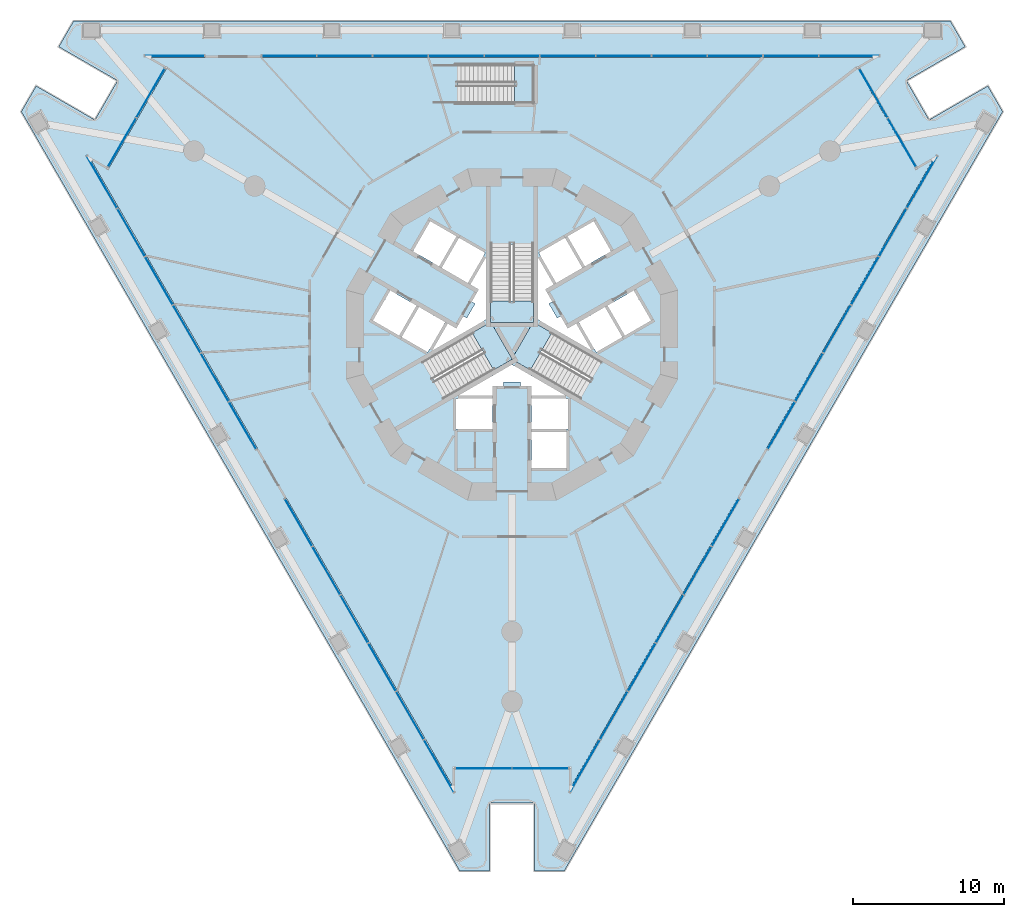
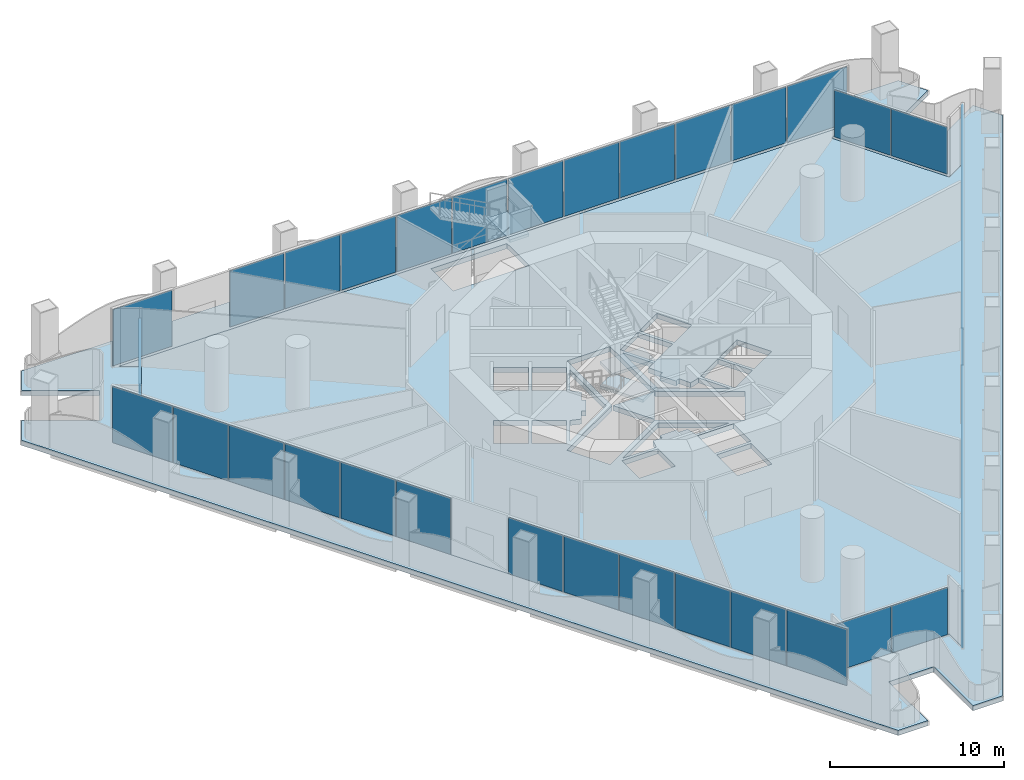
# One storey, part 10 of 23: 42 plates, 7 slabs, 13 elements without a shape of their own.
"""IFC4 building model written with IfcOpenShell, lengths in metres."""

from ifc_helpers import new_model, si_unit, direction, frame, origin, origin_2d, place, context, subcontext, project, spatial, polyline, rectangle, outline, extrude, material, layer, layer_set, type_object, element, aggregate, save


model = new_model("IFC4")

# Units and contexts
model_context = context("Model", 3, precision=1e-05, world=origin(), true_north=direction((0.0, 1.0)))
body_context = subcontext(model_context, "Body", "Model", "MODEL_VIEW")
ifc_project = project(units=[si_unit("LENGTHUNIT", "METRE"), si_unit("AREAUNIT", "SQUARE_METRE"), si_unit("VOLUMEUNIT", "CUBIC_METRE"), si_unit("PLANEANGLEUNIT", "RADIAN"), si_unit("MASSUNIT", "GRAM", prefix="KILO")], contexts=[model_context])

# Site, building, storey
site_placement = place(None, origin())
site = spatial("IfcSite", under=ifc_project, at=site_placement, CompositionType="ELEMENT")
building_placement = place(site_placement, origin())
building = spatial("IfcBuilding", under=site, at=building_placement, Name="Trine Commons Tower", CompositionType="ELEMENT")
storey_placement = place(building_placement, frame((0.0, 0.0, 18.0)))
storey = spatial("IfcBuildingStorey", under=building, at=storey_placement, Name="L03", CompositionType="ELEMENT", Elevation=18.0)

# Curtain wall, plates
ifc_material_1 = material(Name="Corner pocket glazing: anodised aluminium frame with low-emissivity double glazed unit, laminated", Category="aluminium")
ifc_layer_1 = layer(ifc_material_1, 0.179931640625)
ifc_layer_set_1 = layer_set([ifc_layer_1], Name="Corner pocket glazing: anodised aluminium frame with low-emissivity double glazed unit, laminated")
curtain_wall_type_1 = type_object("IfcCurtainWallType", Name="Corner pocket glazing curtain wall CW8", PredefinedType="NOTDEFINED", material=ifc_layer_set_1)
curtain_wall_1_placement = place(storey_placement, origin())
curtain_wall_1 = element("IfcCurtainWall", 1, at=curtain_wall_1_placement, inside=storey, type_object=curtain_wall_type_1, Name="Corner pocket glazing L03 P1.1", PredefinedType="NOTDEFINED")
ifc_material_2 = material(Name="Low-emissivity double glazed unit, laminated")
ifc_layer_2 = layer(ifc_material_2, 0.030029296875)
ifc_layer_set_2 = layer_set([ifc_layer_2], Name="Low-emissivity double glazed unit, laminated")
plate_type_1 = type_object("IfcPlateType", Name="Double glazed unit 30 mm (corner pockets)", PredefinedType="CURTAIN_PANEL", material=ifc_layer_set_2)
plate_1_placement = place(storey_placement, frame((54.15185546875, 75.248291015625, 0.08984375), z_axis=(0.0, 0.0, 1.0), x_axis=(0.5, 0.866025403784, 0.0)))
plate_1 = element("IfcPlate", 2, at=plate_1_placement, type_object=plate_type_1, Name="CW8 panel 1.1", PredefinedType="CURTAIN_PANEL", context=body_context, shape_type="SweptSolid", body=[
    extrude(rectangle(XDim=3.702392578125, YDim=0.030029296875, at=origin_2d()), origin(), (0.0, 0.0, 1.0), 3.300048828125),
])
plate_2_placement = place(storey_placement, frame((56.03564453125, 78.510986328125, 0.08984375), z_axis=(0.0, 0.0, 1.0), x_axis=(0.5, 0.866025403784, 0.0)))
plate_2 = element("IfcPlate", 3, at=plate_2_placement, type_object=plate_type_1, Name="CW8 panel 2.1", PredefinedType="CURTAIN_PANEL", context=body_context, shape_type="SweptSolid", body=[
    extrude(rectangle(XDim=3.702392578125, YDim=0.030029296875, at=origin_2d()), origin(), (0.0, 0.0, 1.0), 3.300048828125),
])
aggregate(curtain_wall_1, [plate_1, plate_2])

curtain_wall_2_placement = place(storey_placement, origin())
curtain_wall_2 = element("IfcCurtainWall", 4, at=curtain_wall_2_placement, inside=storey, type_object=curtain_wall_type_1, Name="Corner pocket glazing L03 P2.1", PredefinedType="NOTDEFINED")
plate_3_placement = place(storey_placement, frame((103.96435546875, 78.510986328125, 0.08984375), z_axis=(0.0, 0.0, 1.0), x_axis=(0.5, -0.866025403784, 0.0)))
plate_3 = element("IfcPlate", 5, at=plate_3_placement, type_object=plate_type_1, Name="CW8 panel 1.1", PredefinedType="CURTAIN_PANEL", context=body_context, shape_type="SweptSolid", body=[
    extrude(rectangle(XDim=3.702392578125, YDim=0.030029296875, at=origin_2d()), origin(), (0.0, 0.0, 1.0), 3.300048828125),
])
plate_4_placement = place(storey_placement, frame((105.84814453125, 75.248291015625, 0.08984375), z_axis=(0.0, 0.0, 1.0), x_axis=(0.5, -0.866025403784, 0.0)))
plate_4 = element("IfcPlate", 6, at=plate_4_placement, type_object=plate_type_1, Name="CW8 panel 2.1", PredefinedType="CURTAIN_PANEL", context=body_context, shape_type="SweptSolid", body=[
    extrude(rectangle(XDim=3.702392578125, YDim=0.030029296875, at=origin_2d()), origin(), (0.0, 0.0, 1.0), 3.300048828125),
])
aggregate(curtain_wall_2, [plate_3, plate_4])

curtain_wall_3_placement = place(storey_placement, origin())
curtain_wall_3 = element("IfcCurtainWall", 7, at=curtain_wall_3_placement, inside=storey, type_object=curtain_wall_type_1, Name="Corner pocket glazing L03 P3.1", PredefinedType="NOTDEFINED")
plate_5_placement = place(storey_placement, frame((81.8837890625, 33.74072265625, 0.08984375), z_axis=(0.0, 0.0, 1.0), x_axis=(-1.0, 0.0, 0.0)))
plate_5 = element("IfcPlate", 8, at=plate_5_placement, type_object=plate_type_1, Name="CW8 panel 1.1", PredefinedType="CURTAIN_PANEL", context=body_context, shape_type="SweptSolid", body=[
    extrude(rectangle(XDim=3.702392578125, YDim=0.030029296875, at=origin_2d()), origin(), (0.0, 0.0, 1.0), 3.300048828125),
])
plate_6_placement = place(storey_placement, frame((78.1162109375, 33.74072265625, 0.08984375), z_axis=(0.0, 0.0, 1.0), x_axis=(-1.0, 0.0, 0.0)))
plate_6 = element("IfcPlate", 9, at=plate_6_placement, type_object=plate_type_1, Name="CW8 panel 2.1", PredefinedType="CURTAIN_PANEL", context=body_context, shape_type="SweptSolid", body=[
    extrude(rectangle(XDim=3.702392578125, YDim=0.030029296875, at=origin_2d()), origin(), (0.0, 0.0, 1.0), 3.300048828125),
])
aggregate(curtain_wall_3, [plate_5, plate_6])

# Curtain wall, plate
ifc_material_3 = material(Name="Podium glazing: anodised aluminium frame with low-emissivity double glazed unit", Category="aluminium")
ifc_layer_3 = layer(ifc_material_3, 0.199951171875)
ifc_layer_set_3 = layer_set([ifc_layer_3], Name="Podium glazing: anodised aluminium frame with low-emissivity double glazed unit")
curtain_wall_type_2 = type_object("IfcCurtainWallType", Name="Podium glazing curtain wall CW3", PredefinedType="NOTDEFINED", material=ifc_layer_set_3)
curtain_wall_4_placement = place(storey_placement, origin())
curtain_wall_4 = element("IfcCurtainWall", 10, at=curtain_wall_4_placement, inside=storey, type_object=curtain_wall_type_2, Name="Podium glazing L03 F1.1", PredefinedType="NOTDEFINED")
ifc_material_4 = material(Name="Low-emissivity double glazed unit")
ifc_layer_4 = layer(ifc_material_4, 0.031982421875)
ifc_layer_set_4 = layer_set([ifc_layer_4], Name="Low-emissivity double glazed unit")
plate_type_2 = type_object("IfcPlateType", Name="Double glazed unit 32 mm", PredefinedType="CURTAIN_PANEL", material=ifc_layer_set_4)
plate_7_placement = place(storey_placement, frame((57.619873046875, 80.984619140625, 0.10009765625), z_axis=(0.0, 0.0, 1.0), x_axis=(1.0, 0.0, 0.0)))
plate_7 = element("IfcPlate", 11, at=plate_7_placement, type_object=plate_type_2, Name="CW3 panel 1.1", PredefinedType="CURTAIN_PANEL", context=body_context, shape_type="SweptSolid", body=[
    extrude(rectangle(XDim=3.922119140625, YDim=0.031982421875, at=origin_2d()), origin(), (0.0, 0.0, 1.0), 3.949951171875),
])
aggregate(curtain_wall_4, [plate_7])

# Curtain wall, plates
curtain_wall_5_placement = place(storey_placement, origin())
curtain_wall_5 = element("IfcCurtainWall", 12, at=curtain_wall_5_placement, inside=storey, type_object=curtain_wall_type_2, Name="Podium glazing L03 F1.2", PredefinedType="NOTDEFINED")
plate_8_placement = place(storey_placement, frame((65.222900390625, 80.984619140625, 0.10009765625), z_axis=(0.0, 0.0, 1.0), x_axis=(1.0, 0.0, 0.0)))
plate_8 = element("IfcPlate", 13, at=plate_8_placement, type_object=plate_type_2, Name="CW3 panel 1.1", PredefinedType="CURTAIN_PANEL", context=body_context, shape_type="SweptSolid", body=[
    extrude(rectangle(XDim=3.58642578125, YDim=0.031982421875, at=origin_2d()), origin(), (0.0, 0.0, 1.0), 3.949951171875),
])
plate_9_placement = place(storey_placement, frame((68.903076171875, 80.984619140625, 0.10009765625), z_axis=(0.0, 0.0, 1.0), x_axis=(1.0, 0.0, 0.0)))
plate_9 = element("IfcPlate", 14, at=plate_9_placement, type_object=plate_type_2, Name="CW3 panel 2.1", PredefinedType="CURTAIN_PANEL", context=body_context, shape_type="SweptSolid", body=[
    extrude(rectangle(XDim=3.623779296875, YDim=0.031982421875, at=origin_2d()), origin(), (0.0, 0.0, 1.0), 3.949951171875),
])
plate_10_placement = place(storey_placement, frame((72.60205078125, 80.984619140625, 0.10009765625), z_axis=(0.0, 0.0, 1.0), x_axis=(1.0, 0.0, 0.0)))
plate_10 = element("IfcPlate", 15, at=plate_10_placement, type_object=plate_type_2, Name="CW3 panel 3.1", PredefinedType="CURTAIN_PANEL", context=body_context, shape_type="SweptSolid", body=[
    extrude(rectangle(XDim=3.623779296875, YDim=0.031982421875, at=origin_2d()), origin(), (0.0, 0.0, 1.0), 3.949951171875),
])
plate_11_placement = place(storey_placement, frame((76.30078125, 80.984619140625, 0.10009765625), z_axis=(0.0, 0.0, 1.0), x_axis=(1.0, 0.0, 0.0)))
plate_11 = element("IfcPlate", 16, at=plate_11_placement, type_object=plate_type_2, Name="CW3 panel 4.1", PredefinedType="CURTAIN_PANEL", context=body_context, shape_type="SweptSolid", body=[
    extrude(rectangle(XDim=3.623779296875, YDim=0.031982421875, at=origin_2d()), origin(), (0.0, 0.0, 1.0), 3.949951171875),
])
plate_12_placement = place(storey_placement, frame((79.999755859375, 80.984619140625, 0.10009765625), z_axis=(0.0, 0.0, 1.0), x_axis=(1.0, 0.0, 0.0)))
plate_12 = element("IfcPlate", 17, at=plate_12_placement, type_object=plate_type_2, Name="CW3 panel 5.1", PredefinedType="CURTAIN_PANEL", context=body_context, shape_type="SweptSolid", body=[
    extrude(rectangle(XDim=3.623779296875, YDim=0.031982421875, at=origin_2d()), origin(), (0.0, 0.0, 1.0), 3.949951171875),
])
plate_13_placement = place(storey_placement, frame((83.69873046875, 80.984619140625, 0.10009765625), z_axis=(0.0, 0.0, 1.0), x_axis=(1.0, 0.0, 0.0)))
plate_13 = element("IfcPlate", 18, at=plate_13_placement, type_object=plate_type_2, Name="CW3 panel 6.1", PredefinedType="CURTAIN_PANEL", context=body_context, shape_type="SweptSolid", body=[
    extrude(rectangle(XDim=3.623779296875, YDim=0.031982421875, at=origin_2d()), origin(), (0.0, 0.0, 1.0), 3.949951171875),
])
plate_14_placement = place(storey_placement, frame((87.397705078125, 80.984619140625, 0.10009765625), z_axis=(0.0, 0.0, 1.0), x_axis=(1.0, 0.0, 0.0)))
plate_14 = element("IfcPlate", 19, at=plate_14_placement, type_object=plate_type_2, Name="CW3 panel 7.1", PredefinedType="CURTAIN_PANEL", context=body_context, shape_type="SweptSolid", body=[
    extrude(rectangle(XDim=3.623779296875, YDim=0.031982421875, at=origin_2d()), origin(), (0.0, 0.0, 1.0), 3.949951171875),
])
plate_15_placement = place(storey_placement, frame((91.096435546875, 80.984619140625, 0.10009765625), z_axis=(0.0, 0.0, 1.0), x_axis=(1.0, 0.0, 0.0)))
plate_15 = element("IfcPlate", 20, at=plate_15_placement, type_object=plate_type_2, Name="CW3 panel 8.1", PredefinedType="CURTAIN_PANEL", context=body_context, shape_type="SweptSolid", body=[
    extrude(rectangle(XDim=3.623779296875, YDim=0.031982421875, at=origin_2d()), origin(), (0.0, 0.0, 1.0), 3.949951171875),
])
plate_16_placement = place(storey_placement, frame((94.79541015625, 80.984619140625, 0.10009765625), z_axis=(0.0, 0.0, 1.0), x_axis=(1.0, 0.0, 0.0)))
plate_16 = element("IfcPlate", 21, at=plate_16_placement, type_object=plate_type_2, Name="CW3 panel 9.1", PredefinedType="CURTAIN_PANEL", context=body_context, shape_type="SweptSolid", body=[
    extrude(rectangle(XDim=3.623779296875, YDim=0.031982421875, at=origin_2d()), origin(), (0.0, 0.0, 1.0), 3.949951171875),
])
plate_17_placement = place(storey_placement, frame((98.494384765625, 80.984619140625, 0.10009765625), z_axis=(0.0, 0.0, 1.0), x_axis=(1.0, 0.0, 0.0)))
plate_17 = element("IfcPlate", 22, at=plate_17_placement, type_object=plate_type_2, Name="CW3 panel 10.1", PredefinedType="CURTAIN_PANEL", context=body_context, shape_type="SweptSolid", body=[
    extrude(rectangle(XDim=3.623779296875, YDim=0.031982421875, at=origin_2d()), origin(), (0.0, 0.0, 1.0), 3.949951171875),
])
plate_18_placement = place(storey_placement, frame((102.361328125, 80.984619140625, 0.10009765625), z_axis=(0.0, 0.0, 1.0), x_axis=(1.0, 0.0, 0.0)))
plate_18 = element("IfcPlate", 23, at=plate_18_placement, type_object=plate_type_2, Name="CW3 panel 11.1", PredefinedType="CURTAIN_PANEL", context=body_context, shape_type="SweptSolid", body=[
    extrude(rectangle(XDim=3.960205078125, YDim=0.031982421875, at=origin_2d()), origin(), (0.0, 0.0, 1.0), 3.949951171875),
])
aggregate(curtain_wall_5, [plate_8, plate_9, plate_10, plate_11, plate_12, plate_13, plate_14, plate_15, plate_16, plate_17, plate_18])

curtain_wall_6_placement = place(storey_placement, origin())
curtain_wall_6 = element("IfcCurtainWall", 24, at=curtain_wall_6_placement, inside=storey, type_object=curtain_wall_type_2, Name="Podium glazing L03 F2.1", PredefinedType="NOTDEFINED")
plate_19_placement = place(storey_placement, frame((107.18896484375, 72.623291015625, 0.10009765625), z_axis=(0.0, 0.0, 1.0), x_axis=(-0.5, -0.866025403784, 0.0)))
plate_19 = element("IfcPlate", 25, at=plate_19_placement, type_object=plate_type_2, Name="CW3 panel 1.1", PredefinedType="CURTAIN_PANEL", context=body_context, shape_type="SweptSolid", body=[
    extrude(rectangle(XDim=3.959716796875, YDim=0.031982421875, at=origin_2d()), origin(), (0.0, 0.0, 1.0), 3.949951171875),
])
plate_20_placement = place(storey_placement, frame((105.255615234375, 69.274658203125, 0.10009765625), z_axis=(0.0, 0.0, 1.0), x_axis=(-0.5, -0.866025403784, 0.0)))
plate_20 = element("IfcPlate", 26, at=plate_20_placement, type_object=plate_type_2, Name="CW3 panel 2.1", PredefinedType="CURTAIN_PANEL", context=body_context, shape_type="SweptSolid", body=[
    extrude(rectangle(XDim=3.623779296875, YDim=0.031982421875, at=origin_2d()), origin(), (0.0, 0.0, 1.0), 3.949951171875),
])
plate_21_placement = place(storey_placement, frame((103.406005859375, 66.0712890625, 0.10009765625), z_axis=(0.0, 0.0, 1.0), x_axis=(-0.5, -0.866025403784, 0.0)))
plate_21 = element("IfcPlate", 27, at=plate_21_placement, type_object=plate_type_2, Name="CW3 panel 3.1", PredefinedType="CURTAIN_PANEL", context=body_context, shape_type="SweptSolid", body=[
    extrude(rectangle(XDim=3.623779296875, YDim=0.031982421875, at=origin_2d()), origin(), (0.0, 0.0, 1.0), 3.949951171875),
])
plate_22_placement = place(storey_placement, frame((101.556640625, 62.867919921875, 0.10009765625), z_axis=(0.0, 0.0, 1.0), x_axis=(-0.5, -0.866025403784, 0.0)))
plate_22 = element("IfcPlate", 28, at=plate_22_placement, type_object=plate_type_2, Name="CW3 panel 4.1", PredefinedType="CURTAIN_PANEL", context=body_context, shape_type="SweptSolid", body=[
    extrude(rectangle(XDim=3.623779296875, YDim=0.031982421875, at=origin_2d()), origin(), (0.0, 0.0, 1.0), 3.949951171875),
])
plate_23_placement = place(storey_placement, frame((99.707275390625, 59.66455078125, 0.10009765625), z_axis=(0.0, 0.0, 1.0), x_axis=(-0.5, -0.866025403784, 0.0)))
plate_23 = element("IfcPlate", 29, at=plate_23_placement, type_object=plate_type_2, Name="CW3 panel 5.1", PredefinedType="CURTAIN_PANEL", context=body_context, shape_type="SweptSolid", body=[
    extrude(rectangle(XDim=3.623779296875, YDim=0.031982421875, at=origin_2d()), origin(), (0.0, 0.0, 1.0), 3.949951171875),
])
plate_24_placement = place(storey_placement, frame((97.8671875, 56.4775390625, 0.10009765625), z_axis=(0.0, 0.0, 1.0), x_axis=(-0.5, -0.866025403784, 0.0)))
plate_24 = element("IfcPlate", 30, at=plate_24_placement, type_object=plate_type_2, Name="CW3 panel 6.1", PredefinedType="CURTAIN_PANEL", context=body_context, shape_type="SweptSolid", body=[
    extrude(rectangle(XDim=3.58642578125, YDim=0.031982421875, at=origin_2d()), origin(), (0.0, 0.0, 1.0), 3.949951171875),
])
aggregate(curtain_wall_6, [plate_19, plate_20, plate_21, plate_22, plate_23, plate_24])

curtain_wall_7_placement = place(storey_placement, origin())
curtain_wall_7 = element("IfcCurtainWall", 31, at=curtain_wall_7_placement, inside=storey, type_object=curtain_wall_type_2, Name="Podium glazing L03 F2.2", PredefinedType="NOTDEFINED")
plate_25_placement = place(storey_placement, frame((94.1494140625, 50.038330078125, 0.10009765625), z_axis=(0.0, 0.0, 1.0), x_axis=(-0.5, -0.866025403784, 0.0)))
plate_25 = element("IfcPlate", 32, at=plate_25_placement, type_object=plate_type_2, Name="CW3 panel 1.1", PredefinedType="CURTAIN_PANEL", context=body_context, shape_type="SweptSolid", body=[
    extrude(rectangle(XDim=3.58642578125, YDim=0.031982421875, at=origin_2d()), origin(), (0.0, 0.0, 1.0), 3.949951171875),
])
plate_26_placement = place(storey_placement, frame((92.309326171875, 46.851318359375, 0.10009765625), z_axis=(0.0, 0.0, 1.0), x_axis=(-0.5, -0.866025403784, 0.0)))
plate_26 = element("IfcPlate", 33, at=plate_26_placement, type_object=plate_type_2, Name="CW3 panel 2.1", PredefinedType="CURTAIN_PANEL", context=body_context, shape_type="SweptSolid", body=[
    extrude(rectangle(XDim=3.623779296875, YDim=0.031982421875, at=origin_2d()), origin(), (0.0, 0.0, 1.0), 3.949951171875),
])
plate_27_placement = place(storey_placement, frame((90.4599609375, 43.64794921875, 0.10009765625), z_axis=(0.0, 0.0, 1.0), x_axis=(-0.5, -0.866025403784, 0.0)))
plate_27 = element("IfcPlate", 34, at=plate_27_placement, type_object=plate_type_2, Name="CW3 panel 3.1", PredefinedType="CURTAIN_PANEL", context=body_context, shape_type="SweptSolid", body=[
    extrude(rectangle(XDim=3.623779296875, YDim=0.031982421875, at=origin_2d()), origin(), (0.0, 0.0, 1.0), 3.949951171875),
])
plate_28_placement = place(storey_placement, frame((88.610595703125, 40.444580078125, 0.10009765625), z_axis=(0.0, 0.0, 1.0), x_axis=(-0.5, -0.866025403784, 0.0)))
plate_28 = element("IfcPlate", 35, at=plate_28_placement, type_object=plate_type_2, Name="CW3 panel 4.1", PredefinedType="CURTAIN_PANEL", context=body_context, shape_type="SweptSolid", body=[
    extrude(rectangle(XDim=3.623779296875, YDim=0.031982421875, at=origin_2d()), origin(), (0.0, 0.0, 1.0), 3.949951171875),
])
plate_29_placement = place(storey_placement, frame((86.760986328125, 37.2412109375, 0.10009765625), z_axis=(0.0, 0.0, 1.0), x_axis=(-0.5, -0.866025403784, 0.0)))
plate_29 = element("IfcPlate", 36, at=plate_29_placement, type_object=plate_type_2, Name="CW3 panel 5.1", PredefinedType="CURTAIN_PANEL", context=body_context, shape_type="SweptSolid", body=[
    extrude(rectangle(XDim=3.623779296875, YDim=0.031982421875, at=origin_2d()), origin(), (0.0, 0.0, 1.0), 3.949951171875),
])
plate_30_placement = place(storey_placement, frame((84.827392578125, 33.892333984375, 0.10009765625), z_axis=(0.0, 0.0, 1.0), x_axis=(-0.5, -0.866025403784, 0.0)))
plate_30 = element("IfcPlate", 37, at=plate_30_placement, type_object=plate_type_2, Name="CW3 panel 6.1", PredefinedType="CURTAIN_PANEL", context=body_context, shape_type="SweptSolid", body=[
    extrude(rectangle(XDim=3.960205078125, YDim=0.031982421875, at=origin_2d()), origin(), (0.0, 0.0, 1.0), 3.949951171875),
])
aggregate(curtain_wall_7, [plate_25, plate_26, plate_27, plate_28, plate_29, plate_30])

curtain_wall_8_placement = place(storey_placement, origin())
curtain_wall_8 = element("IfcCurtainWall", 38, at=curtain_wall_8_placement, inside=storey, type_object=curtain_wall_type_2, Name="Podium glazing L03 F3.1", PredefinedType="NOTDEFINED")
plate_31_placement = place(storey_placement, frame((75.172607421875, 33.89208984375, 0.10009765625), z_axis=(0.0, 0.0, 1.0), x_axis=(-0.5, 0.866025403784, 0.0)))
plate_31 = element("IfcPlate", 39, at=plate_31_placement, type_object=plate_type_2, Name="CW3 panel 1.1", PredefinedType="CURTAIN_PANEL", context=body_context, shape_type="SweptSolid", body=[
    extrude(rectangle(XDim=3.959716796875, YDim=0.031982421875, at=origin_2d()), origin(), (0.0, 0.0, 1.0), 3.949951171875),
])
plate_32_placement = place(storey_placement, frame((73.2392578125, 37.24072265625, 0.10009765625), z_axis=(0.0, 0.0, 1.0), x_axis=(-0.5, 0.866025403784, 0.0)))
plate_32 = element("IfcPlate", 40, at=plate_32_placement, type_object=plate_type_2, Name="CW3 panel 2.1", PredefinedType="CURTAIN_PANEL", context=body_context, shape_type="SweptSolid", body=[
    extrude(rectangle(XDim=3.623779296875, YDim=0.031982421875, at=origin_2d()), origin(), (0.0, 0.0, 1.0), 3.949951171875),
])
plate_33_placement = place(storey_placement, frame((71.389892578125, 40.444091796875, 0.10009765625), z_axis=(0.0, 0.0, 1.0), x_axis=(-0.5, 0.866025403784, 0.0)))
plate_33 = element("IfcPlate", 41, at=plate_33_placement, type_object=plate_type_2, Name="CW3 panel 3.1", PredefinedType="CURTAIN_PANEL", context=body_context, shape_type="SweptSolid", body=[
    extrude(rectangle(XDim=3.623779296875, YDim=0.031982421875, at=origin_2d()), origin(), (0.0, 0.0, 1.0), 3.949951171875),
])
plate_34_placement = place(storey_placement, frame((69.540283203125, 43.6474609375, 0.10009765625), z_axis=(0.0, 0.0, 1.0), x_axis=(-0.5, 0.866025403784, 0.0)))
plate_34 = element("IfcPlate", 42, at=plate_34_placement, type_object=plate_type_2, Name="CW3 panel 4.1", PredefinedType="CURTAIN_PANEL", context=body_context, shape_type="SweptSolid", body=[
    extrude(rectangle(XDim=3.623779296875, YDim=0.031982421875, at=origin_2d()), origin(), (0.0, 0.0, 1.0), 3.949951171875),
])
plate_35_placement = place(storey_placement, frame((67.69091796875, 46.850830078125, 0.10009765625), z_axis=(0.0, 0.0, 1.0), x_axis=(-0.5, 0.866025403784, 0.0)))
plate_35 = element("IfcPlate", 43, at=plate_35_placement, type_object=plate_type_2, Name="CW3 panel 5.1", PredefinedType="CURTAIN_PANEL", context=body_context, shape_type="SweptSolid", body=[
    extrude(rectangle(XDim=3.623779296875, YDim=0.031982421875, at=origin_2d()), origin(), (0.0, 0.0, 1.0), 3.949951171875),
])
plate_36_placement = place(storey_placement, frame((65.850830078125, 50.037841796875, 0.10009765625), z_axis=(0.0, 0.0, 1.0), x_axis=(-0.5, 0.866025403784, 0.0)))
plate_36 = element("IfcPlate", 44, at=plate_36_placement, type_object=plate_type_2, Name="CW3 panel 6.1", PredefinedType="CURTAIN_PANEL", context=body_context, shape_type="SweptSolid", body=[
    extrude(rectangle(XDim=3.58642578125, YDim=0.031982421875, at=origin_2d()), origin(), (0.0, 0.0, 1.0), 3.949951171875),
])
aggregate(curtain_wall_8, [plate_31, plate_32, plate_33, plate_34, plate_35, plate_36])

curtain_wall_9_placement = place(storey_placement, origin())
curtain_wall_9 = element("IfcCurtainWall", 45, at=curtain_wall_9_placement, inside=storey, type_object=curtain_wall_type_2, Name="Podium glazing L03 F3.2", PredefinedType="NOTDEFINED")
plate_37_placement = place(storey_placement, frame((62.133056640625, 56.47705078125, 0.10009765625), z_axis=(0.0, 0.0, 1.0), x_axis=(-0.5, 0.866025403784, 0.0)))
plate_37 = element("IfcPlate", 46, at=plate_37_placement, type_object=plate_type_2, Name="CW3 panel 1.1", PredefinedType="CURTAIN_PANEL", context=body_context, shape_type="SweptSolid", body=[
    extrude(rectangle(XDim=3.58642578125, YDim=0.031982421875, at=origin_2d()), origin(), (0.0, 0.0, 1.0), 3.949951171875),
])
plate_38_placement = place(storey_placement, frame((60.293212890625, 59.664306640625, 0.10009765625), z_axis=(0.0, 0.0, 1.0), x_axis=(-0.5, 0.866025403784, 0.0)))
plate_38 = element("IfcPlate", 47, at=plate_38_placement, type_object=plate_type_2, Name="CW3 panel 2.1", PredefinedType="CURTAIN_PANEL", context=body_context, shape_type="SweptSolid", body=[
    extrude(rectangle(XDim=3.623779296875, YDim=0.031982421875, at=origin_2d()), origin(), (0.0, 0.0, 1.0), 3.949951171875),
])
plate_39_placement = place(storey_placement, frame((58.443603515625, 62.867431640625, 0.10009765625), z_axis=(0.0, 0.0, 1.0), x_axis=(-0.5, 0.866025403784, 0.0)))
plate_39 = element("IfcPlate", 48, at=plate_39_placement, type_object=plate_type_2, Name="CW3 panel 3.1", PredefinedType="CURTAIN_PANEL", context=body_context, shape_type="SweptSolid", body=[
    extrude(rectangle(XDim=3.623779296875, YDim=0.031982421875, at=origin_2d()), origin(), (0.0, 0.0, 1.0), 3.949951171875),
])
plate_40_placement = place(storey_placement, frame((56.59423828125, 66.07080078125, 0.10009765625), z_axis=(0.0, 0.0, 1.0), x_axis=(-0.5, 0.866025403784, 0.0)))
plate_40 = element("IfcPlate", 49, at=plate_40_placement, type_object=plate_type_2, Name="CW3 panel 4.1", PredefinedType="CURTAIN_PANEL", context=body_context, shape_type="SweptSolid", body=[
    extrude(rectangle(XDim=3.623779296875, YDim=0.031982421875, at=origin_2d()), origin(), (0.0, 0.0, 1.0), 3.949951171875),
])
plate_41_placement = place(storey_placement, frame((54.74462890625, 69.274169921875, 0.10009765625), z_axis=(0.0, 0.0, 1.0), x_axis=(-0.5, 0.866025403784, 0.0)))
plate_41 = element("IfcPlate", 50, at=plate_41_placement, type_object=plate_type_2, Name="CW3 panel 5.1", PredefinedType="CURTAIN_PANEL", context=body_context, shape_type="SweptSolid", body=[
    extrude(rectangle(XDim=3.623779296875, YDim=0.031982421875, at=origin_2d()), origin(), (0.0, 0.0, 1.0), 3.949951171875),
])
plate_42_placement = place(storey_placement, frame((52.811279296875, 72.623046875, 0.10009765625), z_axis=(0.0, 0.0, 1.0), x_axis=(-0.5, 0.866025403784, 0.0)))
plate_42 = element("IfcPlate", 51, at=plate_42_placement, type_object=plate_type_2, Name="CW3 panel 6.1", PredefinedType="CURTAIN_PANEL", context=body_context, shape_type="SweptSolid", body=[
    extrude(rectangle(XDim=3.960205078125, YDim=0.031982421875, at=origin_2d()), origin(), (0.0, 0.0, 1.0), 3.949951171875),
])
aggregate(curtain_wall_9, [plate_37, plate_38, plate_39, plate_40, plate_41, plate_42])

# Slabs
ifc_material_5 = material(Name="Concrete C50/60", Category="concrete")
ifc_layer_5 = layer(ifc_material_5, 0.35009765625)
ifc_layer_set_5 = layer_set([ifc_layer_5], Name="Concrete C50/60")
slab_type_1 = type_object("IfcSlabType", Name="Loggia slab 350 mm, C50/60", PredefinedType="FLOOR", material=ifc_layer_set_5)
slab_1_placement = place(storey_placement, frame((0.0, 0.0, -0.35009765625)))
element("IfcSlab", 52, at=slab_1_placement, inside=storey, type_object=slab_type_1, Name="Loggia slab L03", PredefinedType="FLOOR", context=body_context, shape_type="SweptSolid", body=[
    extrude(outline(polyline([(83.464111328125, 26.930908203125), (112.535888671875, 77.28466796875), (111.5537109375, 78.985595703125), (107.65673828125, 76.735595703125), (106.15673828125, 79.33349609375), (110.0537109375, 81.58349609375), (109.07177734375, 83.28466796875), (50.92822265625, 83.28466796875), (49.9462890625, 81.58349609375), (53.84326171875, 79.33349609375), (52.34326171875, 76.735595703125), (48.4462890625, 78.985595703125), (47.464111328125, 77.28466796875), (76.535888671875, 26.930908203125), (78.5, 26.930908203125), (78.5, 31.430908203125), (81.5, 31.430908203125), (81.5, 26.930908203125), (83.464111328125, 26.930908203125)]), holes=[polyline([(76.10009765625, 32.48583984375), (76.10009765625, 33.830810546875), (83.89990234375, 33.830810546875), (83.89990234375, 32.48583984375), (107.943115234375, 74.129638671875), (106.7783203125, 73.45703125), (102.87841796875, 80.212158203125), (104.043212890625, 80.884521484375), (55.956787109375, 80.884521484375), (57.12158203125, 80.212158203125), (53.2216796875, 73.45703125), (52.056884765625, 74.129638671875), (76.10009765625, 32.48583984375)])]), origin(), (0.0, 0.0, 1.0), 0.35009765625),
])
ifc_layer_6 = layer(ifc_material_5, 0.35009765625)
ifc_layer_set_6 = layer_set([ifc_layer_6], Name="Concrete C50/60")
slab_type_2 = type_object("IfcSlabType", Name="Podium PT slab 350 mm, C50/60", PredefinedType="FLOOR", material=ifc_layer_set_6)
slab_2_placement = place(storey_placement, frame((0.0, 0.0, -0.35009765625)))
element("IfcSlab", 53, at=slab_2_placement, inside=storey, type_object=slab_type_2, Name="Floor slab L03", PredefinedType="FLOOR", context=body_context, shape_type="SweptSolid", body=[
    extrude(outline(polyline([(52.056884765625, 74.129638671875), (76.10009765625, 32.48583984375), (76.10009765625, 33.830810546875), (83.89990234375, 33.830810546875), (83.89990234375, 32.48583984375), (107.943115234375, 74.129638671875), (106.7783203125, 73.45703125), (102.87841796875, 80.212158203125), (104.043212890625, 80.884521484375), (55.956787109375, 80.884521484375), (57.12158203125, 80.212158203125), (53.2216796875, 73.45703125), (52.056884765625, 74.129638671875)]), holes=[polyline([(76.300048828125, 56.25), (78.699951171875, 56.25), (78.699951171875, 58.25), (76.300048828125, 58.25), (76.300048828125, 56.25)]), polyline([(80.0, 60.8544921875), (84.4755859375, 58.2705078125), (85.900390625, 60.73876953125), (81.425048828125, 63.32275390625), (81.425048828125, 68.490478515625), (78.574951171875, 68.490478515625), (78.574951171875, 63.32275390625), (74.099609375, 60.73876953125), (75.5244140625, 58.2705078125), (80.0, 60.8544921875)]), polyline([(73.83740234375, 64.325927734375), (72.687255859375, 62.333984375), (74.41943359375, 61.333984375), (75.5693359375, 63.325927734375), (73.83740234375, 64.325927734375)]), polyline([(71.93212890625, 65.426025390625), (70.781982421875, 63.43408203125), (72.51416015625, 62.43408203125), (73.6640625, 64.426025390625), (71.93212890625, 65.426025390625)]), polyline([(76.781005859375, 63.722900390625), (76.381103515625, 63.031005859375), (75.742919921875, 63.22607421875), (74.7099609375, 61.43798828125), (78.27490234375, 63.49609375), (78.27490234375, 67.612060546875), (77.242919921875, 65.823974609375), (77.73095703125, 65.368896484375), (77.3310546875, 64.676025390625), (77.555908203125, 64.5458984375), (77.006103515625, 63.593994140625), (76.781005859375, 63.722900390625)]), polyline([(76.4873046875, 68.916015625), (75.33740234375, 66.924072265625), (77.0693359375, 65.924072265625), (78.219482421875, 67.916015625), (76.4873046875, 68.916015625)]), polyline([(76.314208984375, 69.015869140625), (74.58203125, 70.015869140625), (73.43212890625, 68.02392578125), (75.1640625, 67.02392578125), (76.314208984375, 69.015869140625)]), polyline([(76.419921875, 77.8349609375), (81.4599609375, 77.8349609375), (81.4599609375, 80.385009765625), (76.419921875, 80.385009765625), (76.419921875, 77.8349609375)]), polyline([(81.300048828125, 53.64990234375), (83.60009765625, 53.64990234375), (83.60009765625, 56.050048828125), (81.300048828125, 56.050048828125), (81.300048828125, 53.64990234375)]), polyline([(81.300048828125, 56.25), (83.699951171875, 56.25), (83.699951171875, 58.25), (81.300048828125, 58.25), (81.300048828125, 56.25)]), polyline([(81.14990234375, 59.10009765625), (81.300048828125, 58.449951171875), (83.56494140625, 58.449951171875), (80.0, 60.508056640625), (76.43505859375, 58.449951171875), (78.699951171875, 58.449951171875), (78.85009765625, 59.10009765625), (79.449951171875, 59.10009765625), (79.449951171875, 59.360107421875), (80.550048828125, 59.360107421875), (80.550048828125, 59.10009765625), (81.14990234375, 59.10009765625)]), polyline([(87.312744140625, 62.333984375), (86.16259765625, 64.325927734375), (84.4306640625, 63.325927734375), (85.58056640625, 61.333984375), (87.312744140625, 62.333984375)]), polyline([(89.218017578125, 63.43408203125), (88.06787109375, 65.426025390625), (86.3359375, 64.426025390625), (87.48583984375, 62.43408203125), (89.218017578125, 63.43408203125)]), polyline([(83.243896484375, 63.738037109375), (82.993896484375, 63.593994140625), (82.444091796875, 64.5458984375), (82.72705078125, 64.7099609375), (82.281005859375, 65.549072265625), (82.757080078125, 65.823974609375), (81.72509765625, 67.612060546875), (81.72509765625, 63.49609375), (85.2900390625, 61.43798828125), (84.257080078125, 63.22607421875), (83.618896484375, 63.031005859375), (83.243896484375, 63.738037109375)]), polyline([(82.9306640625, 65.924072265625), (84.66259765625, 66.924072265625), (83.5126953125, 68.916015625), (81.780517578125, 67.916015625), (82.9306640625, 65.924072265625)]), polyline([(84.8359375, 67.02392578125), (86.56787109375, 68.02392578125), (85.41796875, 70.015869140625), (83.685791015625, 69.015869140625), (84.8359375, 67.02392578125)])]), origin(), (0.0, 0.0, 1.0), 0.35009765625),
])
slab_3_placement = place(storey_placement, frame((0.0, 0.0, -0.35009765625)))
element("IfcSlab", 54, at=slab_3_placement, inside=storey, type_object=slab_type_2, Name="Floor slab L03 2", PredefinedType="FLOOR", context=body_context, shape_type="SweptSolid", body=[
    extrude(outline(polyline([(78.61328125, 63.300537109375), (80.0, 60.89892578125), (81.38671875, 63.300537109375), (78.61328125, 63.300537109375)])), origin(), (0.0, 0.0, 1.0), 0.35009765625),
])

# Stair, slab
ifc_material_6 = material(Name="Concrete C40/50", Category="concrete")
stair_type_1 = type_object("IfcStairType", Name="Podium stair, dog-leg 1200 mm, C40/50", PredefinedType="HALF_TURN_STAIR", material=ifc_material_6)
stair_1_placement = place(storey_placement, origin())
stair_1 = element("IfcStair", 55, at=stair_1_placement, inside=storey, type_object=stair_type_1, Name="L03 Podium stair", PredefinedType="HALF_TURN_STAIR")
ifc_layer_7 = layer(ifc_material_6, 0.199951171875)
ifc_layer_set_7 = layer_set([ifc_layer_7], Name="Concrete C40/50")
slab_type_3 = type_object("IfcSlabType", Name="Podium stair landing 200 mm, C40/50", PredefinedType="LANDING", material=ifc_layer_set_7)
slab_4_placement = place(storey_placement, frame((0.0, 0.0, 2.050048828125)))
slab_4 = element("IfcSlab", 56, at=slab_4_placement, type_object=slab_type_3, Name="PS1 landing 1", PredefinedType="LANDING", context=body_context, shape_type="SweptSolid", body=[
    extrude(outline(polyline([(80.179931640625, 77.8349609375), (81.4599609375, 77.8349609375), (81.4599609375, 80.385009765625), (80.179931640625, 80.385009765625), (80.179931640625, 77.8349609375)])), origin(), (0.0, 0.0, 1.0), 0.199951171875),
])
aggregate(stair_1, [slab_4])

stair_type_2 = type_object("IfcStairType", Name="Exit stair, dog-leg, 30 risers of 150 mm", PredefinedType="HALF_TURN_STAIR", material=ifc_material_5)
stair_2_placement = place(storey_placement, origin())
stair_2 = element("IfcStair", 57, at=stair_2_placement, inside=storey, type_object=stair_type_2, Name="L03 Exit stair ST1A", PredefinedType="HALF_TURN_STAIR")
ifc_layer_8 = layer(ifc_material_5, 0.199951171875)
ifc_layer_set_8 = layer_set([ifc_layer_8], Name="Concrete C50/60")
slab_type_4 = type_object("IfcSlabType", Name="Stair landing slab 200 mm, C50/60", PredefinedType="LANDING", material=ifc_layer_set_8)
slab_5_placement = place(storey_placement, frame((0.0, 0.0, 2.050048828125)))
slab_5 = element("IfcSlab", 58, at=slab_5_placement, type_object=slab_type_4, Name="ST1A landing 1", PredefinedType="LANDING", context=body_context, shape_type="SweptSolid", body=[
    extrude(outline(polyline([(78.574951171875, 64.730712890625), (78.574951171875, 63.300537109375), (81.425048828125, 63.300537109375), (81.425048828125, 64.730712890625), (78.574951171875, 64.730712890625)])), origin(), (0.0, 0.0, 1.0), 0.199951171875),
])
aggregate(stair_2, [slab_5])

stair_3_placement = place(storey_placement, origin())
stair_3 = element("IfcStair", 59, at=stair_3_placement, inside=storey, type_object=stair_type_2, Name="L03 Exit stair ST2A", PredefinedType="HALF_TURN_STAIR")
slab_6_placement = place(storey_placement, frame((0.0, 0.0, 2.050048828125)))
slab_6 = element("IfcSlab", 60, at=slab_6_placement, type_object=slab_type_4, Name="ST2A landing 1", PredefinedType="LANDING", context=body_context, shape_type="SweptSolid", body=[
    extrude(outline(polyline([(78.78076171875, 60.150634765625), (80.019287109375, 60.86572265625), (78.59423828125, 63.333740234375), (77.355712890625, 62.618896484375), (78.78076171875, 60.150634765625)])), origin(), (0.0, 0.0, 1.0), 0.199951171875),
])
aggregate(stair_3, [slab_6])

stair_4_placement = place(storey_placement, origin())
stair_4 = element("IfcStair", 61, at=stair_4_placement, inside=storey, type_object=stair_type_2, Name="L03 Exit stair ST3A", PredefinedType="HALF_TURN_STAIR")
slab_7_placement = place(storey_placement, frame((0.0, 0.0, 2.050048828125)))
slab_7 = element("IfcSlab", 62, at=slab_7_placement, type_object=slab_type_4, Name="ST3A landing 1", PredefinedType="LANDING", context=body_context, shape_type="SweptSolid", body=[
    extrude(outline(polyline([(82.644287109375, 62.618896484375), (81.40576171875, 63.333740234375), (79.980712890625, 60.86572265625), (81.21923828125, 60.150634765625), (82.644287109375, 62.618896484375)])), origin(), (0.0, 0.0, 1.0), 0.199951171875),
])
aggregate(stair_4, [slab_7])

save(model, "model.ifc")
